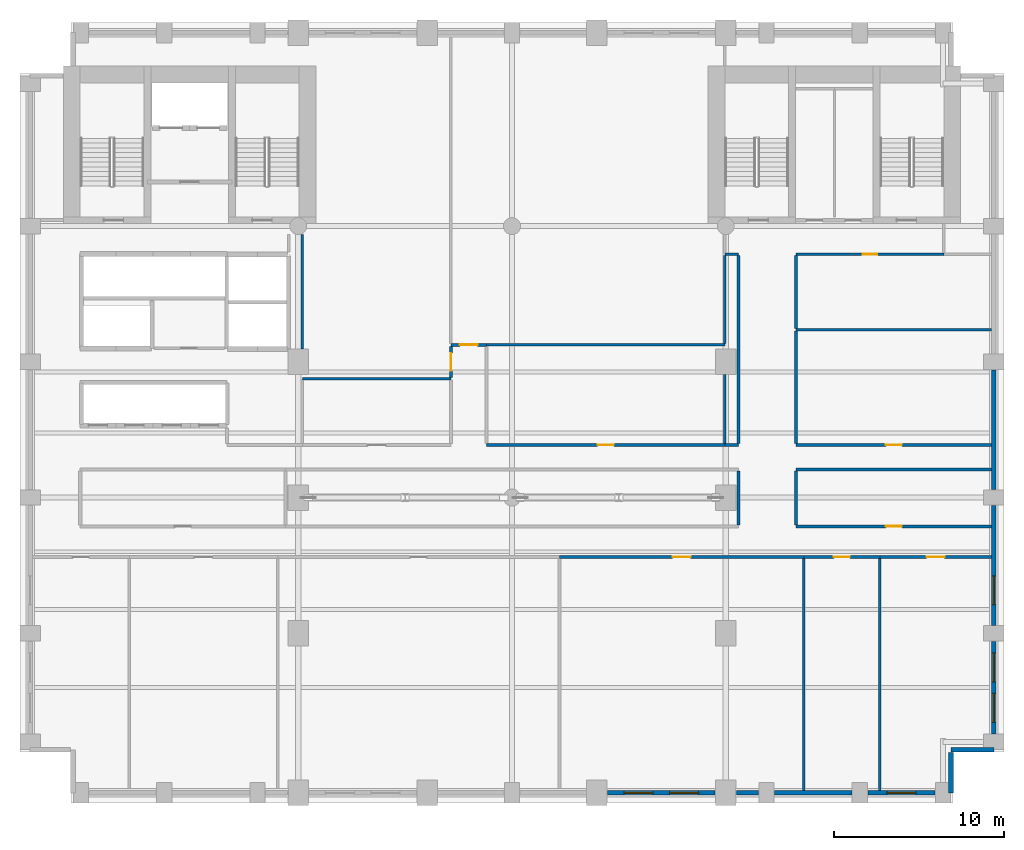
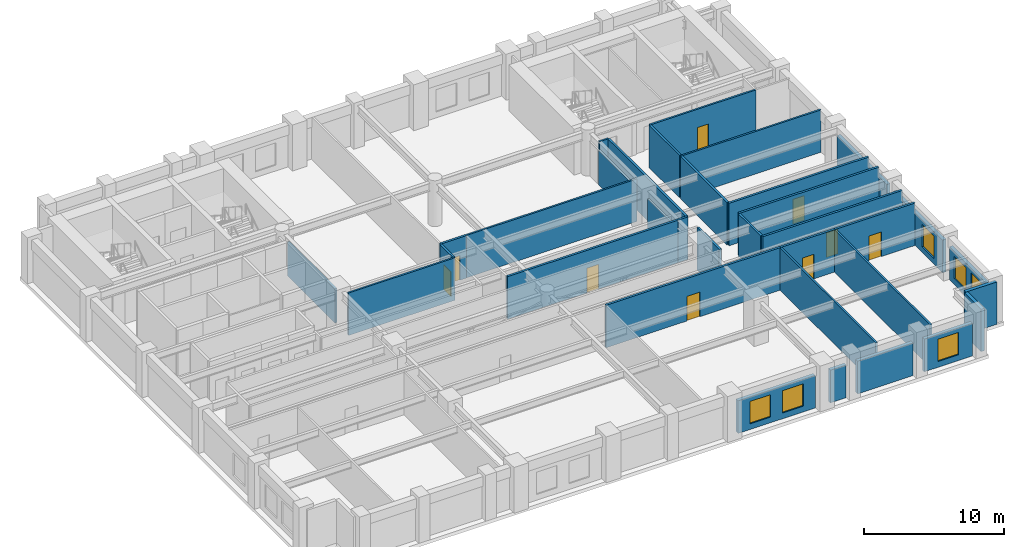
# One storey, part 6 of 10: 34 walls, 9 doors, 6 windows, 15 openings.
"""IFC4 building model written with IfcOpenShell, lengths in metres."""

import ifcopenshell
import ifcopenshell.guid

model = None  # the IFC model being written
_history = None  # IfcOwnerHistory: only IFC2X3 demands one
_inside = {}  # id of a spatial element -> (the spatial element, [elements in it])
_under = {}  # id of a project, library or spatial element -> (it, [spatial elements below it])
_declared = {}  # id of a project -> (the project, [libraries it declares])
_typed = {}  # id of a type object -> (the type object, [elements of that type])
_made_of = {}  # id of a material, layer set ... -> (it, [elements and type objects made of it])


def new_model(schema):
    """Start an empty IFC model of exactly this schema.

    Asked for "IFC4X3", IfcOpenShell would pick the latest addendum, in which some entities
    have other attributes; the version numbers below select the first issue.
    IFC2X3 requires an IfcOwnerHistory on every rooted entity: one is made here for all.
    """
    global model, _history
    if schema == "IFC4X3":
        model = ifcopenshell.file(schema_version=(4, 3, 0, 0))
    else:
        model = ifcopenshell.file(schema=schema)
    _inside.clear()
    _under.clear()
    _declared.clear()
    _typed.clear()
    _made_of.clear()
    _history = None
    if model.schema == "IFC2X3":
        org = make("IfcOrganization", Name="unknown")
        user = make(
            "IfcPersonAndOrganization",
            ThePerson=make("IfcPerson", FamilyName="unknown"),
            TheOrganization=org,
        )
        app = make(
            "IfcApplication",
            ApplicationDeveloper=org,
            Version="unknown",
            ApplicationFullName="unknown",
            ApplicationIdentifier="unknown",
        )
        _history = make(
            "IfcOwnerHistory",
            OwningUser=user,
            OwningApplication=app,
            ChangeAction="ADDED",
            CreationDate=0,
        )
    return model


def make(cls, **values):
    """One entity of the class cls with the attributes given. An attribute that is None is left unset."""
    return model.create_entity(
        cls, **{name: value for name, value in values.items() if value is not None}
    )


def rooted(cls, **values):
    """An entity with a GlobalId (a new one), such as an element, a storey or a relation."""
    return make(cls, GlobalId=ifcopenshell.guid.new(), OwnerHistory=_history, **values)


def si_unit(unit_type, name, prefix=None):
    """IfcSIUnit, for example si_unit("LENGTHUNIT", "METRE", prefix="MILLI")."""
    return make("IfcSIUnit", UnitType=unit_type, Prefix=prefix, Name=name)


def assignment(units):
    """IfcUnitAssignment: the units of a project."""
    return None if units is None else make("IfcUnitAssignment", Units=units)


def point(xyz):
    """IfcCartesianPoint."""
    return None if xyz is None else make("IfcCartesianPoint", Coordinates=xyz)


def direction(xyz):
    """IfcDirection."""
    return None if xyz is None else make("IfcDirection", DirectionRatios=xyz)


def frame(location, z_axis=None, x_axis=None):
    """IfcAxis2Placement3D, a coordinate frame: its origin and axes. An axis left out is left unset."""
    return make(
        "IfcAxis2Placement3D",
        Location=point(location),
        Axis=direction(z_axis),
        RefDirection=direction(x_axis),
    )


def frame_2d(location, x_axis=None):
    """IfcAxis2Placement2D, a coordinate frame in the plane: its origin and x axis."""
    return make(
        "IfcAxis2Placement2D", Location=point(location), RefDirection=direction(x_axis)
    )


def origin():
    """The frame at (0, 0, 0) with its axes left unset."""
    return frame((0.0, 0.0, 0.0))


def place(relative_to, where):
    """IfcLocalPlacement: puts the frame where relative to a parent placement (None: the world)."""
    return make(
        "IfcLocalPlacement", PlacementRelTo=relative_to, RelativePlacement=where
    )


def context(
    kind, dimensions, precision=None, world=None, true_north=None, identifier=None
):
    """IfcGeometricRepresentationContext, for example the 3D "Model" context."""
    return make(
        "IfcGeometricRepresentationContext",
        ContextIdentifier=identifier,
        ContextType=kind,
        CoordinateSpaceDimension=dimensions,
        Precision=precision,
        WorldCoordinateSystem=world,
        TrueNorth=true_north,
    )


def subcontext(parent, identifier, kind, view, scale=None):
    """IfcGeometricRepresentationSubContext, for example "Body" below "Model"."""
    return make(
        "IfcGeometricRepresentationSubContext",
        ContextIdentifier=identifier,
        ContextType=kind,
        ParentContext=parent,
        TargetScale=scale,
        TargetView=view,
    )


def project(units=None, contexts=None):
    """IfcProject with its units and contexts."""
    return rooted(
        "IfcProject",
        Name="project",
        RepresentationContexts=contexts,
        UnitsInContext=assignment(units),
    )


def spatial(cls, under=None, at=None, **own):
    """A site, building, storey or space (cls), placed at a placement, below another one or the project."""
    s = rooted(cls, ObjectPlacement=at, **own)
    if under is not None:
        _under.setdefault(under.id(), (under, []))[1].append(s)
    return s


def profile(cls, at=None, kind="AREA", **sizes):
    """A parametric profile (cls). Its sizes go by their IFC names, for example OverallWidth=200.0."""
    return make(cls, ProfileType=kind, Position=at, **sizes)


def rectangle(**sizes):
    """IfcRectangleProfileDef."""
    return profile("IfcRectangleProfileDef", **sizes)


def extrude(swept, where, along, depth):
    """IfcExtrudedAreaSolid: the profile swept, set in the frame where, extruded along a direction by depth."""
    return make(
        "IfcExtrudedAreaSolid",
        SweptArea=swept,
        Position=where,
        ExtrudedDirection=direction(along),
        Depth=depth,
    )


def shape(context_of_items, identifier, shape_type, items):
    """IfcShapeRepresentation: the items that make up one representation, for example the "Body"."""
    return make(
        "IfcShapeRepresentation",
        ContextOfItems=context_of_items,
        RepresentationIdentifier=identifier,
        RepresentationType=shape_type,
        Items=items,
    )


def material(Name=None, Category=None):
    """IfcMaterial."""
    return make("IfcMaterial", Name=Name, Category=Category)


def layer(
    of_material, thickness, ventilated=None, Name=None, Category=None, Priority=None
):
    """IfcMaterialLayer: one layer of a wall or slab, of a material (None: an air gap)."""
    return make(
        "IfcMaterialLayer",
        Material=of_material,
        LayerThickness=thickness,
        IsVentilated=ventilated,
        Name=Name,
        Category=Category,
        Priority=Priority,
    )


def layer_set(layers, Name=None):
    """IfcMaterialLayerSet."""
    return make("IfcMaterialLayerSet", MaterialLayers=layers, LayerSetName=Name)


def made_of(thing, what):
    """Note that an element or type object is made of a material, layer set ...; save() writes the relation."""
    if what is not None:
        _made_of.setdefault(what.id(), (what, []))[1].append(thing)
    return thing


def type_object(cls, material=None, **own):
    """A type object (cls), such as IfcWallType, which elements share."""
    return made_of(rooted(cls, **own), material)


def element(
    cls,
    number,
    at=None,
    inside=None,
    cuts=None,
    type_object=None,
    material=None,
    context=None,
    identifier="Body",
    shape_type=None,
    held_by="IfcProductDefinitionShape",
    body=None,
    shapes=None,
    **own,
):
    """One element of the class cls, such as IfcWall. Its Tag is "e" and its number.

    at: its placement. inside: the storey or other place that contains it. cuts: it is an
    opening in that element (IfcRelVoidsElement). A single representation is given by context,
    identifier, shape_type and body (its items); several are given by shapes. held_by: the class
    of the entity that holds the representations. save() writes the other relations.
    """
    e = rooted(cls, Tag="e%d" % number, ObjectPlacement=at, **own)
    if body is not None:
        shapes = [shape(context, identifier, shape_type, body)]
    if shapes is not None:
        e.Representation = make(held_by, Representations=shapes)
    if inside is not None:
        _inside.setdefault(inside.id(), (inside, []))[1].append(e)
    if cuts is not None:
        rooted(
            "IfcRelVoidsElement", RelatingBuildingElement=cuts, RelatedOpeningElement=e
        )
    if type_object is not None:
        _typed.setdefault(type_object.id(), (type_object, []))[1].append(e)
    return made_of(e, material)


def fill(opening, filler):
    """IfcRelFillsElement: the door or window that sits in an opening."""
    return rooted(
        "IfcRelFillsElement",
        RelatingOpeningElement=opening,
        RelatedBuildingElement=filler,
    )


def aggregate(whole, parts):
    """IfcRelAggregates: a whole, such as a stair, and the parts it consists of."""
    return rooted("IfcRelAggregates", RelatingObject=whole, RelatedObjects=parts)


def save(model, path):
    """Write the relations noted so far, then the file.

    IfcRelAggregates (storeys below a building ...), IfcRelContainedInSpatialStructure (elements
    in a storey), IfcRelDefinesByType, IfcRelAssociatesMaterial and IfcRelDeclares: one each for
    every whole, place, type object, material and project.
    """
    for whole, parts in _under.values():
        aggregate(whole, parts)
    for where, things in _inside.values():
        rooted(
            "IfcRelContainedInSpatialStructure",
            RelatedElements=things,
            RelatingStructure=where,
        )
    for kind, things in _typed.values():
        rooted("IfcRelDefinesByType", RelatedObjects=things, RelatingType=kind)
    for what, things in _made_of.values():
        rooted("IfcRelAssociatesMaterial", RelatedObjects=things, RelatingMaterial=what)
    for by, libraries in _declared.values():
        rooted("IfcRelDeclares", RelatingContext=by, RelatedDefinitions=libraries)
    model.write(path)


model = new_model("IFC4")

# Units and contexts
model_context = context("Model", 3, precision=1e-05, world=origin(), true_north=direction((0.0, 1.0)))
body_context = subcontext(model_context, "Body", "Model", "MODEL_VIEW")
ifc_project = project(units=[si_unit("LENGTHUNIT", "METRE"), si_unit("AREAUNIT", "SQUARE_METRE"), si_unit("VOLUMEUNIT", "CUBIC_METRE"), si_unit("PLANEANGLEUNIT", "RADIAN"), si_unit("MASSUNIT", "GRAM", prefix="KILO")], contexts=[model_context])

# Site, building, storey
site_placement = place(None, origin())
site = spatial("IfcSite", under=ifc_project, at=site_placement, CompositionType="ELEMENT")
building_placement = place(site_placement, origin())
building = spatial("IfcBuilding", under=site, at=building_placement, Name="Sulina Concourse Tower", CompositionType="ELEMENT")
storey_placement = place(building_placement, frame((0.0, 0.0, 62.60009765625)))
storey = spatial("IfcBuildingStorey", under=building, at=storey_placement, Name="L15", CompositionType="ELEMENT", Elevation=62.60009765625)

# Walls
ifc_material_1 = material(Name="Gypsum board on steel stud", Category="steel")
ifc_layer_1 = layer(ifc_material_1, 0.14990234375)
ifc_layer_set_1 = layer_set([ifc_layer_1], Name="Gypsum board on steel stud")
wall_type_1 = type_object("IfcWallType", Name="Inter-Tenancy Acoustic Partition 150mm", PredefinedType="PARTITIONING", material=ifc_layer_set_1)
wall_1_placement = place(storey_placement, frame((16.64990234375, 25.0, 0.0), z_axis=(0.0, 0.0, 1.0), x_axis=(1.0, 0.0, 0.0)))
element("IfcWall", 1, at=wall_1_placement, inside=storey, type_object=wall_type_1, Name="L15 interior partition 018", PredefinedType="PARTITIONING", context=body_context, shape_type="SweptSolid", body=[
    extrude(rectangle(XDim=8.75, YDim=0.14990234375, at=frame_2d((4.375, 0.0))), origin(), (0.0, 0.0, 1.0), 3.699951171875),
])
wall_2_placement = place(storey_placement, frame((27.5, 27.0, 0.0), z_axis=(0.0, 0.0, 1.0), x_axis=(1.0, 0.0, 0.0)))
element("IfcWall", 2, at=wall_2_placement, inside=storey, type_object=wall_type_1, Name="L15 interior partition 021", PredefinedType="PARTITIONING", context=body_context, shape_type="SweptSolid", body=[
    extrude(rectangle(XDim=14.050048828125, YDim=0.14990234375, at=frame_2d((7.02490234375, 0.0))), origin(), (0.0, 0.0, 1.0), 3.699951171875),
])
wall_3_placement = place(storey_placement, frame((45.75, 27.8798828125, 0.0), z_axis=(0.0, 0.0, 1.0), x_axis=(1.0, 0.0, 0.0)))
element("IfcWall", 3, at=wall_3_placement, inside=storey, type_object=wall_type_1, Name="L15 interior partition 022", PredefinedType="PARTITIONING", context=body_context, shape_type="SweptSolid", body=[
    extrude(rectangle(XDim=11.510009765625, YDim=0.14990234375, at=frame_2d((5.7548828125, 0.0))), origin(), (0.0, 0.0, 1.0), 3.699951171875),
])
wall_4_placement = place(storey_placement, frame((41.550048828125, 32.35009765625, 0.0), z_axis=(0.0, 0.0, 1.0), x_axis=(1.0, 0.0, 0.0)))
element("IfcWall", 4, at=wall_4_placement, inside=storey, type_object=wall_type_1, Name="L15 interior partition 023", PredefinedType="PARTITIONING", context=body_context, shape_type="SweptSolid", body=[
    extrude(rectangle(XDim=0.800048828125, YDim=0.14990234375, at=frame_2d((0.39990234375, 0.0))), origin(), (0.0, 0.0, 1.0), 3.699951171875),
])

# Wall, opening, door
wall_5_placement = place(storey_placement, frame((45.75, 32.35009765625, 0.0), z_axis=(0.0, 0.0, 1.0), x_axis=(1.0, 0.0, 0.0)))
wall_5 = element("IfcWall", 5, at=wall_5_placement, inside=storey, type_object=wall_type_1, Name="L15 interior partition 024", PredefinedType="PARTITIONING", context=body_context, shape_type="SweptSolid", body=[
    extrude(rectangle(XDim=8.699951171875, YDim=0.14990234375, at=frame_2d((4.35009765625, 0.0))), origin(), (0.0, 0.0, 1.0), 3.699951171875),
])
opening_1_placement = place(wall_5_placement, frame((3.909912109375, 0.0, 0.0)))
opening_1 = element("IfcOpeningElement", 6, at=opening_1_placement, cuts=wall_5, Name="Opening DR-38", PredefinedType="OPENING", context=body_context, shape_type="SweptSolid", body=[
    extrude(rectangle(XDim=0.8798828125, YDim=2.10009765625, at=frame_2d((0.43994140625, 1.050048828125))), frame((0.0, 0.0849609375, 0.0), z_axis=(0.0, -1.0, 0.0), x_axis=(1.0, 0.0, 0.0)), (0.0, 0.0, 1.0), 0.169921875),
])
ifc_material_2 = material(Name="Galvanised steel acoustic fire leaf", Category="steel")
ifc_layer_2 = layer(ifc_material_2, 0.050048828125)
ifc_layer_set_2 = layer_set([ifc_layer_2], Name="Galvanised steel acoustic fire leaf")
door_type_1 = type_object("IfcDoorType", Name="Service Riser Fire Door 880x2100", OperationType="NOTDEFINED", PredefinedType="DOOR", material=ifc_layer_set_2)
door_1_placement = place(opening_1_placement, origin())
door_1 = element("IfcDoor", 7, at=door_1_placement, inside=storey, type_object=door_type_1, Name="L15 interior door L15-NE2", OperationType="SINGLE_SWING_RIGHT", OverallHeight=2.10009765625, OverallWidth=0.8798828125, PredefinedType="DOOR", context=body_context, shape_type="SweptSolid", body=[
    extrude(rectangle(XDim=0.8798828125, YDim=2.10009765625, at=frame_2d((0.43994140625, 1.050048828125))), frame((0.0, 0.02490234375, 0.0), z_axis=(0.0, -1.0, 0.0), x_axis=(1.0, 0.0, 0.0)), (0.0, 0.0, 1.0), 0.050048828125),
])
fill(opening_1, door_1)

# Walls
wall_6_placement = place(storey_placement, frame((16.64990234375, 26.75, 0.0), z_axis=(0.0, 0.0, 1.0), x_axis=(0.0, 1.0, 0.0)))
element("IfcWall", 8, at=wall_6_placement, inside=storey, type_object=wall_type_1, Name="L15 interior partition 036", PredefinedType="PARTITIONING", context=body_context, shape_type="SweptSolid", body=[
    extrude(rectangle(XDim=6.75, YDim=0.14990234375, at=frame_2d((3.375, 0.0))), origin(), (0.0, 0.0, 1.0), 2.994873046875),
])
wall_7_placement = place(storey_placement, frame((41.550048828125, 21.18994140625, 0.0), z_axis=(0.0, 0.0, 1.0), x_axis=(0.0, 1.0, 0.0)))
element("IfcWall", 9, at=wall_7_placement, inside=storey, type_object=wall_type_1, Name="L15 interior partition 042", PredefinedType="PARTITIONING", context=body_context, shape_type="SweptSolid", body=[
    extrude(rectangle(XDim=4.06005859375, YDim=0.14990234375, at=frame_2d((2.030029296875, 0.0))), origin(), (0.0, 0.0, 1.0), 2.994873046875),
])
wall_8_placement = place(storey_placement, frame((41.550048828125, 27.074951171875, 0.0), z_axis=(0.0, 0.0, 1.0), x_axis=(0.0, 1.0, 0.0)))
element("IfcWall", 10, at=wall_8_placement, inside=storey, type_object=wall_type_1, Name="L15 interior partition 043", PredefinedType="PARTITIONING", context=body_context, shape_type="SweptSolid", body=[
    extrude(rectangle(XDim=5.199951171875, YDim=0.14990234375, at=frame_2d((2.60009765625, 0.0))), origin(), (0.0, 0.0, 1.0), 2.994873046875),
])
for number, where, z_axis, x_axis, name in (
    (11, (46.199951171875, 0.739990234375, 0.0), (0.0, 0.0, 1.0), (0.0, 1.0, 0.0), "L15 interior partition 051"),
    (12, (50.679931640625, 0.739990234375, 0.0), (0.0, 0.0, 1.0), (0.0, 1.0, 0.0), "L15 interior partition 053"),
):
    element("IfcWall", number, at=place(storey_placement, frame(where, z_axis=z_axis, x_axis=x_axis)), inside=storey, type_object=wall_type_1, Name=name, PredefinedType="PARTITIONING", context=body_context, shape_type="SweptSolid", body=[
        extrude(rectangle(XDim=13.669921875, YDim=0.14990234375, at=frame_2d((6.8349609375, 0.0))), origin(), (0.0, 0.0, 1.0), 3.699951171875),
    ])

# Wall, opening, door
ifc_material_3 = material(Name="Gypsum board on steel stud", Category="steel")
ifc_layer_3 = layer(ifc_material_3, 0.179931640625)
ifc_layer_set_3 = layer_set([ifc_layer_3], Name="Gypsum board on steel stud")
wall_type_2 = type_object("IfcWallType", Name="Protected Corridor & Riser Partition 180mm", PredefinedType="PARTITIONING", material=ifc_layer_set_3)
wall_9_placement = place(storey_placement, frame((31.800048828125, 14.5, 0.0), z_axis=(0.0, 0.0, 1.0), x_axis=(1.0, 0.0, 0.0)))
wall_9 = element("IfcWall", 13, at=wall_9_placement, inside=storey, type_object=wall_type_2, Name="L15 interior partition 004", PredefinedType="PARTITIONING", context=body_context, shape_type="SweptSolid", body=[
    extrude(rectangle(XDim=14.39990234375, YDim=0.179931640625, at=frame_2d((7.199951171875, 0.0))), origin(), (0.0, 0.0, 1.0), 3.699951171875),
])
opening_2_placement = place(wall_9_placement, frame((6.675048828125, 0.0, 0.0)))
opening_2 = element("IfcOpeningElement", 14, at=opening_2_placement, cuts=wall_9, Name="Opening DR-37", PredefinedType="OPENING", context=body_context, shape_type="SweptSolid", body=[
    extrude(rectangle(XDim=1.050048828125, YDim=2.14990234375, at=frame_2d((0.52490234375, 1.074951171875))), frame((0.0, 0.099853515625, 0.0), z_axis=(0.0, -1.0, 0.0), x_axis=(1.0, 0.0, 0.0)), (0.0, 0.0, 1.0), 0.199951171875),
])
ifc_material_4 = material(Name="Oak-veneered fire door leaf")
ifc_layer_4 = layer(ifc_material_4, 0.050048828125)
ifc_layer_set_4 = layer_set([ifc_layer_4], Name="Oak-veneered fire door leaf")
door_type_2 = type_object("IfcDoorType", Name="Tenant Suite Entrance Fire Door 1050x2150", OperationType="NOTDEFINED", PredefinedType="DOOR", material=ifc_layer_set_4)
door_2_placement = place(opening_2_placement, origin())
door_2 = element("IfcDoor", 15, at=door_2_placement, inside=storey, type_object=door_type_2, Name="L15 interior door L15-S03", OperationType="SINGLE_SWING_RIGHT", OverallHeight=2.14990234375, OverallWidth=1.050048828125, PredefinedType="DOOR", context=body_context, shape_type="SweptSolid", body=[
    extrude(rectangle(XDim=1.050048828125, YDim=2.14990234375, at=frame_2d((0.52490234375, 1.074951171875))), frame((0.0, 0.02490234375, 0.0), z_axis=(0.0, -1.0, 0.0), x_axis=(1.0, 0.0, 0.0)), (0.0, 0.0, 1.0), 0.050048828125),
])
fill(opening_2, door_2)

wall_10_placement = place(storey_placement, frame((46.199951171875, 14.5, 0.0), z_axis=(0.0, 0.0, 1.0), x_axis=(1.0, 0.0, 0.0)))
wall_10 = element("IfcWall", 16, at=wall_10_placement, inside=storey, type_object=wall_type_2, Name="L15 interior partition 005", PredefinedType="PARTITIONING", context=body_context, shape_type="SweptSolid", body=[
    extrude(rectangle(XDim=4.47998046875, YDim=0.179931640625, at=frame_2d((2.239990234375, 0.0))), origin(), (0.0, 0.0, 1.0), 3.699951171875),
])
opening_3_placement = place(wall_10_placement, frame((1.764892578125, 0.0, 0.0)))
opening_3 = element("IfcOpeningElement", 17, at=opening_3_placement, cuts=wall_10, Name="Opening DR-19", PredefinedType="OPENING", context=body_context, shape_type="SweptSolid", body=[
    extrude(rectangle(XDim=0.949951171875, YDim=2.14990234375, at=frame_2d((0.47509765625, 1.074951171875))), frame((0.0, 0.099853515625, 0.0), z_axis=(0.0, -1.0, 0.0), x_axis=(1.0, 0.0, 0.0)), (0.0, 0.0, 1.0), 0.199951171875),
])
ifc_material_5 = material(Name="Oak-veneered acoustic timber leaf", Category="wood")
ifc_layer_5 = layer(ifc_material_5, 0.050048828125)
ifc_layer_set_5 = layer_set([ifc_layer_5], Name="Oak-veneered acoustic timber leaf")
door_type_3 = type_object("IfcDoorType", Name="Cellular Office & Meeting Door 950x2150", OperationType="NOTDEFINED", PredefinedType="DOOR", material=ifc_layer_set_5)
door_3_placement = place(opening_3_placement, origin())
door_3 = element("IfcDoor", 18, at=door_3_placement, inside=storey, type_object=door_type_3, Name="L15 interior door L15-S04A", OperationType="SINGLE_SWING_LEFT", OverallHeight=2.14990234375, OverallWidth=0.949951171875, PredefinedType="DOOR", context=body_context, shape_type="SweptSolid", body=[
    extrude(rectangle(XDim=0.949951171875, YDim=2.14990234375, at=frame_2d((0.47509765625, 1.074951171875))), frame((0.0, 0.02490234375, 0.0), z_axis=(0.0, -1.0, 0.0), x_axis=(1.0, 0.0, 0.0)), (0.0, 0.0, 1.0), 0.050048828125),
])
fill(opening_3, door_3)

wall_11_placement = place(storey_placement, frame((50.679931640625, 14.5, 0.0), z_axis=(0.0, 0.0, 1.0), x_axis=(1.0, 0.0, 0.0)))
wall_11 = element("IfcWall", 19, at=wall_11_placement, inside=storey, type_object=wall_type_2, Name="L15 interior partition 006", PredefinedType="PARTITIONING", context=body_context, shape_type="SweptSolid", body=[
    extrude(rectangle(XDim=6.580078125, YDim=0.179931640625, at=frame_2d((3.2900390625, 0.0))), origin(), (0.0, 0.0, 1.0), 3.699951171875),
])
opening_4_placement = place(wall_11_placement, frame((2.764892578125, 0.0, 0.0)))
opening_4 = element("IfcOpeningElement", 20, at=opening_4_placement, cuts=wall_11, Name="Opening DR-37", PredefinedType="OPENING", context=body_context, shape_type="SweptSolid", body=[
    extrude(rectangle(XDim=1.050048828125, YDim=2.14990234375, at=frame_2d((0.52490234375, 1.074951171875))), frame((0.0, 0.099853515625, 0.0), z_axis=(0.0, -1.0, 0.0), x_axis=(1.0, 0.0, 0.0)), (0.0, 0.0, 1.0), 0.199951171875),
])
door_4_placement = place(opening_4_placement, origin())
door_4 = element("IfcDoor", 21, at=door_4_placement, inside=storey, type_object=door_type_2, Name="L15 interior door L15-S04B", OperationType="SINGLE_SWING_RIGHT", OverallHeight=2.14990234375, OverallWidth=1.050048828125, PredefinedType="DOOR", context=body_context, shape_type="SweptSolid", body=[
    extrude(rectangle(XDim=1.050048828125, YDim=2.14990234375, at=frame_2d((0.52490234375, 1.074951171875))), frame((0.0, 0.02490234375, 0.0), z_axis=(0.0, -1.0, 0.0), x_axis=(1.0, 0.0, 0.0)), (0.0, 0.0, 1.0), 0.050048828125),
])
fill(opening_4, door_4)

wall_12_placement = place(storey_placement, frame((45.75, 16.300048828125, 0.0), z_axis=(0.0, 0.0, 1.0), x_axis=(1.0, 0.0, 0.0)))
wall_12 = element("IfcWall", 22, at=wall_12_placement, inside=storey, type_object=wall_type_2, Name="L15 interior partition 009", PredefinedType="PARTITIONING", context=body_context, shape_type="SweptSolid", body=[
    extrude(rectangle(XDim=11.510009765625, YDim=0.179931640625, at=frame_2d((5.7548828125, 0.0))), origin(), (0.0, 0.0, 1.0), 3.699951171875),
])
opening_5_placement = place(wall_12_placement, frame((5.280029296875, 0.0, 0.0)))
opening_5 = element("IfcOpeningElement", 23, at=opening_5_placement, cuts=wall_12, Name="Opening DR-19", PredefinedType="OPENING", context=body_context, shape_type="SweptSolid", body=[
    extrude(rectangle(XDim=0.949951171875, YDim=2.14990234375, at=frame_2d((0.47509765625, 1.074951171875))), frame((0.0, 0.099853515625, 0.0), z_axis=(0.0, -1.0, 0.0), x_axis=(1.0, 0.0, 0.0)), (0.0, 0.0, 1.0), 0.199951171875),
])
door_5_placement = place(opening_5_placement, origin())
door_5 = element("IfcDoor", 24, at=door_5_placement, inside=storey, type_object=door_type_3, Name="L15 interior door L15-OFF-LBTE", OperationType="SINGLE_SWING_RIGHT", OverallHeight=2.14990234375, OverallWidth=0.949951171875, PredefinedType="DOOR", context=body_context, shape_type="SweptSolid", body=[
    extrude(rectangle(XDim=0.949951171875, YDim=2.14990234375, at=frame_2d((0.47509765625, 1.074951171875))), frame((0.0, 0.02490234375, 0.0), z_axis=(0.0, -1.0, 0.0), x_axis=(1.0, 0.0, 0.0)), (0.0, 0.0, 1.0), 0.050048828125),
])
fill(opening_5, door_5)

# Wall
wall_13_placement = place(storey_placement, frame((45.75, 19.64990234375, 0.0), z_axis=(0.0, 0.0, 1.0), x_axis=(1.0, 0.0, 0.0)))
element("IfcWall", 25, at=wall_13_placement, inside=storey, type_object=wall_type_2, Name="L15 interior partition 012", PredefinedType="PARTITIONING", context=body_context, shape_type="SweptSolid", body=[
    extrude(rectangle(XDim=11.510009765625, YDim=0.179931640625, at=frame_2d((5.7548828125, 0.0))), origin(), (0.0, 0.0, 1.0), 3.699951171875),
])

# Wall, opening, door
wall_14_placement = place(storey_placement, frame((27.5, 21.10009765625, 0.0), z_axis=(0.0, 0.0, 1.0), x_axis=(1.0, 0.0, 0.0)))
wall_14 = element("IfcWall", 26, at=wall_14_placement, inside=storey, type_object=wall_type_2, Name="L15 interior partition 015", PredefinedType="PARTITIONING", context=body_context, shape_type="SweptSolid", body=[
    extrude(rectangle(XDim=14.050048828125, YDim=0.179931640625, at=frame_2d((7.02490234375, 0.0))), origin(), (0.0, 0.0, 1.0), 3.699951171875),
])
opening_6_placement = place(wall_14_placement, frame((6.550048828125, 0.0, 0.0)))
opening_6 = element("IfcOpeningElement", 27, at=opening_6_placement, cuts=wall_14, Name="Opening DR-19", PredefinedType="OPENING", context=body_context, shape_type="SweptSolid", body=[
    extrude(rectangle(XDim=0.949951171875, YDim=2.14990234375, at=frame_2d((0.47509765625, 1.074951171875))), frame((0.0, 0.099853515625, 0.0), z_axis=(0.0, -1.0, 0.0), x_axis=(1.0, 0.0, 0.0)), (0.0, 0.0, 1.0), 0.199951171875),
])
door_6_placement = place(opening_6_placement, origin())
door_6 = element("IfcDoor", 28, at=door_6_placement, inside=storey, type_object=door_type_3, Name="L15 interior door L15-NC3", OperationType="SINGLE_SWING_RIGHT", OverallHeight=2.14990234375, OverallWidth=0.949951171875, PredefinedType="DOOR", context=body_context, shape_type="SweptSolid", body=[
    extrude(rectangle(XDim=0.949951171875, YDim=2.14990234375, at=frame_2d((0.47509765625, 1.074951171875))), frame((0.0, 0.02490234375, 0.0), z_axis=(0.0, -1.0, 0.0), x_axis=(1.0, 0.0, 0.0)), (0.0, 0.0, 1.0), 0.050048828125),
])
fill(opening_6, door_6)

# Wall
wall_15_placement = place(storey_placement, frame((41.550048828125, 21.10009765625, 0.0), z_axis=(0.0, 0.0, 1.0), x_axis=(1.0, 0.0, 0.0)))
element("IfcWall", 29, at=wall_15_placement, inside=storey, type_object=wall_type_2, Name="L15 interior partition 016", PredefinedType="PARTITIONING", context=body_context, shape_type="SweptSolid", body=[
    extrude(rectangle(XDim=0.800048828125, YDim=0.179931640625, at=frame_2d((0.39990234375, 0.0))), origin(), (0.0, 0.0, 1.0), 3.699951171875),
])

# Wall, opening, door
wall_16_placement = place(storey_placement, frame((45.75, 21.10009765625, 0.0), z_axis=(0.0, 0.0, 1.0), x_axis=(1.0, 0.0, 0.0)))
wall_16 = element("IfcWall", 30, at=wall_16_placement, inside=storey, type_object=wall_type_2, Name="L15 interior partition 017", PredefinedType="PARTITIONING", context=body_context, shape_type="SweptSolid", body=[
    extrude(rectangle(XDim=11.510009765625, YDim=0.179931640625, at=frame_2d((5.7548828125, 0.0))), origin(), (0.0, 0.0, 1.0), 3.699951171875),
])
opening_7_placement = place(wall_16_placement, frame((5.280029296875, 0.0, 0.0)))
opening_7 = element("IfcOpeningElement", 31, at=opening_7_placement, cuts=wall_16, Name="Opening DR-19", PredefinedType="OPENING", context=body_context, shape_type="SweptSolid", body=[
    extrude(rectangle(XDim=0.949951171875, YDim=2.14990234375, at=frame_2d((0.47509765625, 1.074951171875))), frame((0.0, 0.099853515625, 0.0), z_axis=(0.0, -1.0, 0.0), x_axis=(1.0, 0.0, 0.0)), (0.0, 0.0, 1.0), 0.199951171875),
])
door_7_placement = place(opening_7_placement, origin())
door_7 = element("IfcDoor", 32, at=door_7_placement, inside=storey, type_object=door_type_3, Name="L15 interior door L15-NE1", OperationType="SINGLE_SWING_LEFT", OverallHeight=2.14990234375, OverallWidth=0.949951171875, PredefinedType="DOOR", context=body_context, shape_type="SweptSolid", body=[
    extrude(rectangle(XDim=0.949951171875, YDim=2.14990234375, at=frame_2d((0.47509765625, 1.074951171875))), frame((0.0, 0.02490234375, 0.0), z_axis=(0.0, -1.0, 0.0), x_axis=(1.0, 0.0, 0.0)), (0.0, 0.0, 1.0), 0.050048828125),
])
fill(opening_7, door_7)

wall_17_placement = place(storey_placement, frame((25.39990234375, 27.0, 0.0), z_axis=(0.0, 0.0, 1.0), x_axis=(1.0, 0.0, 0.0)))
wall_17 = element("IfcWall", 33, at=wall_17_placement, inside=storey, type_object=wall_type_2, Name="L15 interior partition 020", PredefinedType="PARTITIONING", context=body_context, shape_type="SweptSolid", body=[
    extrude(rectangle(XDim=2.10009765625, YDim=0.179931640625, at=frame_2d((1.050048828125, 0.0))), origin(), (0.0, 0.0, 1.0), 3.699951171875),
])
opening_8_placement = place(wall_17_placement, frame((0.52490234375, 0.0, 0.0)))
opening_8 = element("IfcOpeningElement", 34, at=opening_8_placement, cuts=wall_17, Name="Opening DR-37", PredefinedType="OPENING", context=body_context, shape_type="SweptSolid", body=[
    extrude(rectangle(XDim=1.050048828125, YDim=2.14990234375, at=frame_2d((0.52490234375, 1.074951171875))), frame((0.0, 0.099853515625, 0.0), z_axis=(0.0, -1.0, 0.0), x_axis=(1.0, 0.0, 0.0)), (0.0, 0.0, 1.0), 0.199951171875),
])
door_8_placement = place(opening_8_placement, origin())
door_8 = element("IfcDoor", 35, at=door_8_placement, inside=storey, type_object=door_type_2, Name="L15 interior door L15-NC4", OperationType="SINGLE_SWING_LEFT", OverallHeight=2.14990234375, OverallWidth=1.050048828125, PredefinedType="DOOR", context=body_context, shape_type="SweptSolid", body=[
    extrude(rectangle(XDim=1.050048828125, YDim=2.14990234375, at=frame_2d((0.52490234375, 1.074951171875))), frame((0.0, 0.02490234375, 0.0), z_axis=(0.0, -1.0, 0.0), x_axis=(1.0, 0.0, 0.0)), (0.0, 0.0, 1.0), 0.050048828125),
])
fill(opening_8, door_8)

wall_18_placement = place(storey_placement, frame((25.39990234375, 25.074951171875, 0.0), z_axis=(0.0, 0.0, 1.0), x_axis=(0.0, 1.0, 0.0)))
wall_18 = element("IfcWall", 36, at=wall_18_placement, inside=storey, type_object=wall_type_2, Name="L15 interior partition 038", PredefinedType="PARTITIONING", context=body_context, shape_type="SweptSolid", body=[
    extrude(rectangle(XDim=1.8349609375, YDim=0.179931640625, at=frame_2d((0.91748046875, 0.0))), origin(), (0.0, 0.0, 1.0), 3.699951171875),
])
opening_9_placement = place(wall_18_placement, frame((0.392578125, 0.0, 0.0)))
opening_9 = element("IfcOpeningElement", 37, at=opening_9_placement, cuts=wall_18, Name="Opening DR-37", PredefinedType="OPENING", context=body_context, shape_type="SweptSolid", body=[
    extrude(rectangle(XDim=1.050048828125, YDim=2.14990234375, at=frame_2d((0.52490234375, 1.074951171875))), frame((0.0, 0.099853515625, 0.0), z_axis=(0.0, -1.0, 0.0), x_axis=(1.0, 0.0, 0.0)), (0.0, 0.0, 1.0), 0.199951171875),
])
door_9_placement = place(opening_9_placement, origin())
door_9 = element("IfcDoor", 38, at=door_9_placement, inside=storey, type_object=door_type_2, Name="L15 interior door L15-NC2", OperationType="SINGLE_SWING_LEFT", OverallHeight=2.14990234375, OverallWidth=1.050048828125, PredefinedType="DOOR", context=body_context, shape_type="SweptSolid", body=[
    extrude(rectangle(XDim=1.050048828125, YDim=2.14990234375, at=frame_2d((0.52490234375, 1.074951171875))), frame((0.0, 0.02490234375, 0.0), z_axis=(0.0, -1.0, 0.0), x_axis=(1.0, 0.0, 0.0)), (0.0, 0.0, 1.0), 0.050048828125),
])
fill(opening_9, door_9)

# Walls
wall_19_placement = place(storey_placement, frame((42.35009765625, 16.389892578125, 0.0), z_axis=(0.0, 0.0, 1.0), x_axis=(0.0, 1.0, 0.0)))
element("IfcWall", 39, at=wall_19_placement, inside=storey, type_object=wall_type_2, Name="L15 interior partition 046", PredefinedType="PARTITIONING", context=body_context, shape_type="SweptSolid", body=[
    extrude(rectangle(XDim=3.170166015625, YDim=0.179931640625, at=frame_2d((1.5849609375, 0.0))), origin(), (0.0, 0.0, 1.0), 3.699951171875),
])
wall_20_placement = place(storey_placement, frame((42.35009765625, 21.18994140625, 0.0), z_axis=(0.0, 0.0, 1.0), x_axis=(0.0, 1.0, 0.0)))
element("IfcWall", 40, at=wall_20_placement, inside=storey, type_object=wall_type_2, Name="L15 interior partition 047", PredefinedType="PARTITIONING", context=body_context, shape_type="SweptSolid", body=[
    extrude(rectangle(XDim=11.0849609375, YDim=0.179931640625, at=frame_2d((5.54248046875, 0.0))), origin(), (0.0, 0.0, 1.0), 3.699951171875),
])
wall_21_placement = place(storey_placement, frame((45.75, 16.389892578125, 0.0), z_axis=(0.0, 0.0, 1.0), x_axis=(0.0, 1.0, 0.0)))
element("IfcWall", 41, at=wall_21_placement, inside=storey, type_object=wall_type_2, Name="L15 interior partition 048", PredefinedType="PARTITIONING", context=body_context, shape_type="SweptSolid", body=[
    extrude(rectangle(XDim=3.170166015625, YDim=0.179931640625, at=frame_2d((1.5849609375, 0.0))), origin(), (0.0, 0.0, 1.0), 3.699951171875),
])
wall_22_placement = place(storey_placement, frame((45.75, 21.18994140625, 0.0), z_axis=(0.0, 0.0, 1.0), x_axis=(0.0, 1.0, 0.0)))
element("IfcWall", 42, at=wall_22_placement, inside=storey, type_object=wall_type_2, Name="L15 interior partition 049", PredefinedType="PARTITIONING", context=body_context, shape_type="SweptSolid", body=[
    extrude(rectangle(XDim=6.614990234375, YDim=0.179931640625, at=frame_2d((3.3076171875, 0.0))), origin(), (0.0, 0.0, 1.0), 3.699951171875),
])
wall_23_placement = place(storey_placement, frame((45.75, 27.955078125, 0.0), z_axis=(0.0, 0.0, 1.0), x_axis=(0.0, 1.0, 0.0)))
element("IfcWall", 43, at=wall_23_placement, inside=storey, type_object=wall_type_2, Name="L15 interior partition 050", PredefinedType="PARTITIONING", context=body_context, shape_type="SweptSolid", body=[
    extrude(rectangle(XDim=4.31982421875, YDim=0.179931640625, at=frame_2d((2.159912109375, 0.0))), origin(), (0.0, 0.0, 1.0), 3.699951171875),
])

# Wall, openings, windows
ifc_material_6 = material(Name="Precast concrete C50/60", Category="concrete")
ifc_layer_6 = layer(ifc_material_6, 0.280029296875)
ifc_layer_set_6 = layer_set([ifc_layer_6], Name="Precast concrete C50/60")
wall_type_3 = type_object("IfcWallType", Name="Typical Precast Masonry-Frame Facade Wall 280mm", PredefinedType="SOLIDWALL", material=ifc_layer_set_6)
wall_24_placement = place(storey_placement, frame((40.97998046875, 0.60009765625, 0.0), z_axis=(0.0, 0.0, 1.0), x_axis=(-1.0, 0.0, 0.0)))
wall_24 = element("IfcWall", 44, at=wall_24_placement, inside=storey, type_object=wall_type_3, Name="L15 exterior precast wall S7", PredefinedType="SOLIDWALL", context=body_context, shape_type="SweptSolid", body=[
    extrude(rectangle(XDim=6.35986328125, YDim=0.280029296875, at=frame_2d((3.179931640625, 0.0))), origin(), (0.0, 0.0, 1.0), 2.849853515625),
])
opening_10_placement = place(wall_24_placement, frame((0.98681640625, 0.0, 0.5)))
opening_10 = element("IfcOpeningElement", 45, at=opening_10_placement, cuts=wall_24, Name="Opening WN-66", PredefinedType="OPENING", context=body_context, shape_type="SweptSolid", body=[
    extrude(rectangle(XDim=1.699951171875, YDim=1.949951171875, at=frame_2d((0.85009765625, 0.97509765625))), frame((0.0, 0.14990234375, 0.0), z_axis=(0.0, -1.0, 0.0), x_axis=(1.0, 0.0, 0.0)), (0.0, 0.0, 1.0), 0.300048828125),
])
opening_11_placement = place(wall_24_placement, frame((3.67333984375, 0.0, 0.5)))
opening_11 = element("IfcOpeningElement", 46, at=opening_11_placement, cuts=wall_24, Name="Opening WN-66", PredefinedType="OPENING", context=body_context, shape_type="SweptSolid", body=[
    extrude(rectangle(XDim=1.699951171875, YDim=1.949951171875, at=frame_2d((0.85009765625, 0.97509765625))), frame((0.0, 0.14990234375, 0.0), z_axis=(0.0, -1.0, 0.0), x_axis=(1.0, 0.0, 0.0)), (0.0, 0.0, 1.0), 0.300048828125),
])
ifc_material_7 = material(Name="Low-E solar double glazing in bronze aluminium", Category="aluminium")
window_type = type_object("IfcWindowType", Name="Recessed Spandrel Window 1700x1950", PartitioningType="SINGLE_PANEL", PredefinedType="WINDOW", material=ifc_material_7)
window_1_placement = place(opening_10_placement, origin())
window_1 = element("IfcWindow", 47, at=window_1_placement, inside=storey, type_object=window_type, Name="L15 punched window S7-1", OverallHeight=1.949951171875, OverallWidth=1.699951171875, PartitioningType="SINGLE_PANEL", PredefinedType="WINDOW", context=body_context, shape_type="SweptSolid", body=[
    extrude(rectangle(XDim=1.699951171875, YDim=1.949951171875, at=frame_2d((0.85009765625, 0.97509765625))), frame((0.0, 0.030029296875, 0.0), z_axis=(0.0, -1.0, 0.0), x_axis=(1.0, 0.0, 0.0)), (0.0, 0.0, 1.0), 0.06005859375),
])
fill(opening_10, window_1)
window_2_placement = place(opening_11_placement, origin())
window_2 = element("IfcWindow", 48, at=window_2_placement, inside=storey, type_object=window_type, Name="L15 punched window S7-2", OverallHeight=1.949951171875, OverallWidth=1.699951171875, PartitioningType="SINGLE_PANEL", PredefinedType="WINDOW", context=body_context, shape_type="SweptSolid", body=[
    extrude(rectangle(XDim=1.699951171875, YDim=1.949951171875, at=frame_2d((0.85009765625, 0.97509765625))), frame((0.0, 0.030029296875, 0.0), z_axis=(0.0, -1.0, 0.0), x_axis=(1.0, 0.0, 0.0)), (0.0, 0.0, 1.0), 0.06005859375),
])
fill(opening_11, window_2)

# Walls
wall_25_placement = place(storey_placement, frame((43.530029296875, 0.60009765625, 0.0), z_axis=(0.0, 0.0, 1.0), x_axis=(-1.0, 0.0, 0.0)))
element("IfcWall", 49, at=wall_25_placement, inside=storey, type_object=wall_type_3, Name="L15 exterior precast wall S8", PredefinedType="SOLIDWALL", context=body_context, shape_type="SweptSolid", body=[
    extrude(rectangle(XDim=1.31005859375, YDim=0.280029296875, at=frame_2d((0.655029296875, 0.0))), origin(), (0.0, 0.0, 1.0), 2.849853515625),
])
wall_26_placement = place(storey_placement, frame((49.030029296875, 0.60009765625, 0.0), z_axis=(0.0, 0.0, 1.0), x_axis=(-1.0, 0.0, 0.0)))
element("IfcWall", 50, at=wall_26_placement, inside=storey, type_object=wall_type_3, Name="L15 exterior precast wall S9", PredefinedType="SOLIDWALL", context=body_context, shape_type="SweptSolid", body=[
    extrude(rectangle(XDim=4.56005859375, YDim=0.280029296875, at=frame_2d((2.280029296875, 0.0))), origin(), (0.0, 0.0, 1.0), 2.849853515625),
])

# Wall, opening, window
wall_27_placement = place(storey_placement, frame((53.929931640625, 0.60009765625, 0.0), z_axis=(0.0, 0.0, 1.0), x_axis=(-1.0, 0.0, 0.0)))
wall_27 = element("IfcWall", 51, at=wall_27_placement, inside=storey, type_object=wall_type_3, Name="L15 exterior precast wall S10", PredefinedType="SOLIDWALL", context=body_context, shape_type="SweptSolid", body=[
    extrude(rectangle(XDim=3.9599609375, YDim=0.280029296875, at=frame_2d((1.97998046875, 0.0))), origin(), (0.0, 0.0, 1.0), 2.849853515625),
])
opening_12_placement = place(wall_27_placement, frame((1.1298828125, 0.0, 0.5)))
opening_12 = element("IfcOpeningElement", 52, at=opening_12_placement, cuts=wall_27, Name="Opening WN-66", PredefinedType="OPENING", context=body_context, shape_type="SweptSolid", body=[
    extrude(rectangle(XDim=1.699951171875, YDim=1.949951171875, at=frame_2d((0.85009765625, 0.97509765625))), frame((0.0, 0.14990234375, 0.0), z_axis=(0.0, -1.0, 0.0), x_axis=(1.0, 0.0, 0.0)), (0.0, 0.0, 1.0), 0.300048828125),
])
window_3_placement = place(opening_12_placement, origin())
window_3 = element("IfcWindow", 53, at=window_3_placement, inside=storey, type_object=window_type, Name="L15 punched window S10-1", OverallHeight=1.949951171875, OverallWidth=1.699951171875, PartitioningType="SINGLE_PANEL", PredefinedType="WINDOW", context=body_context, shape_type="SweptSolid", body=[
    extrude(rectangle(XDim=1.699951171875, YDim=1.949951171875, at=frame_2d((0.85009765625, 0.97509765625))), frame((0.0, 0.030029296875, 0.0), z_axis=(0.0, -1.0, 0.0), x_axis=(1.0, 0.0, 0.0)), (0.0, 0.0, 1.0), 0.06005859375),
])
fill(opening_12, window_3)

# Wall, openings, windows
wall_28_placement = place(storey_placement, frame((57.39990234375, 9.530029296875, 0.0), z_axis=(0.0, 0.0, 1.0), x_axis=(0.0, -1.0, 0.0)))
wall_28 = element("IfcWall", 54, at=wall_28_placement, inside=storey, type_object=wall_type_3, Name="L15 exterior precast wall E1", PredefinedType="SOLIDWALL", context=body_context, shape_type="SweptSolid", body=[
    extrude(rectangle(XDim=5.4599609375, YDim=0.280029296875, at=frame_2d((2.72998046875, 0.0))), origin(), (0.0, 0.0, 1.0), 2.849853515625),
])
opening_13_placement = place(wall_28_placement, frame((0.686767578125, 0.0, 0.5)))
opening_13 = element("IfcOpeningElement", 55, at=opening_13_placement, cuts=wall_28, Name="Opening WN-66", PredefinedType="OPENING", context=body_context, shape_type="SweptSolid", body=[
    extrude(rectangle(XDim=1.699951171875, YDim=1.949951171875, at=frame_2d((0.85009765625, 0.97509765625))), frame((0.0, 0.14990234375, 0.0), z_axis=(0.0, -1.0, 0.0), x_axis=(1.0, 0.0, 0.0)), (0.0, 0.0, 1.0), 0.300048828125),
])
opening_14_placement = place(wall_28_placement, frame((3.0732421875, 0.0, 0.5)))
opening_14 = element("IfcOpeningElement", 56, at=opening_14_placement, cuts=wall_28, Name="Opening WN-66", PredefinedType="OPENING", context=body_context, shape_type="SweptSolid", body=[
    extrude(rectangle(XDim=1.699951171875, YDim=1.949951171875, at=frame_2d((0.85009765625, 0.97509765625))), frame((0.0, 0.14990234375, 0.0), z_axis=(0.0, -1.0, 0.0), x_axis=(1.0, 0.0, 0.0)), (0.0, 0.0, 1.0), 0.300048828125),
])
window_4_placement = place(opening_13_placement, origin())
window_4 = element("IfcWindow", 57, at=window_4_placement, inside=storey, type_object=window_type, Name="L15 punched window E1-1", OverallHeight=1.949951171875, OverallWidth=1.699951171875, PartitioningType="SINGLE_PANEL", PredefinedType="WINDOW", context=body_context, shape_type="SweptSolid", body=[
    extrude(rectangle(XDim=1.699951171875, YDim=1.949951171875, at=frame_2d((0.85009765625, 0.97509765625))), frame((0.0, 0.030029296875, 0.0), z_axis=(0.0, -1.0, 0.0), x_axis=(1.0, 0.0, 0.0)), (0.0, 0.0, 1.0), 0.06005859375),
])
fill(opening_13, window_4)
window_5_placement = place(opening_14_placement, origin())
window_5 = element("IfcWindow", 58, at=window_5_placement, inside=storey, type_object=window_type, Name="L15 punched window E1-2", OverallHeight=1.949951171875, OverallWidth=1.699951171875, PartitioningType="SINGLE_PANEL", PredefinedType="WINDOW", context=body_context, shape_type="SweptSolid", body=[
    extrude(rectangle(XDim=1.699951171875, YDim=1.949951171875, at=frame_2d((0.85009765625, 0.97509765625))), frame((0.0, 0.030029296875, 0.0), z_axis=(0.0, -1.0, 0.0), x_axis=(1.0, 0.0, 0.0)), (0.0, 0.0, 1.0), 0.06005859375),
])
fill(opening_14, window_5)

# Wall, opening, window
wall_29_placement = place(storey_placement, frame((57.39990234375, 17.530029296875, 0.0), z_axis=(0.0, 0.0, 1.0), x_axis=(0.0, -1.0, 0.0)))
wall_29 = element("IfcWall", 59, at=wall_29_placement, inside=storey, type_object=wall_type_3, Name="L15 exterior precast wall E2", PredefinedType="SOLIDWALL", context=body_context, shape_type="SweptSolid", body=[
    extrude(rectangle(XDim=7.06005859375, YDim=0.280029296875, at=frame_2d((3.530029296875, 0.0))), origin(), (0.0, 0.0, 1.0), 2.849853515625),
])
opening_15_placement = place(wall_29_placement, frame((4.139892578125, 0.0, 0.5)))
opening_15 = element("IfcOpeningElement", 60, at=opening_15_placement, cuts=wall_29, Name="Opening WN-66", PredefinedType="OPENING", context=body_context, shape_type="SweptSolid", body=[
    extrude(rectangle(XDim=1.699951171875, YDim=1.949951171875, at=frame_2d((0.85009765625, 0.97509765625))), frame((0.0, 0.14990234375, 0.0), z_axis=(0.0, -1.0, 0.0), x_axis=(1.0, 0.0, 0.0)), (0.0, 0.0, 1.0), 0.300048828125),
])
window_6_placement = place(opening_15_placement, origin())
window_6 = element("IfcWindow", 61, at=window_6_placement, inside=storey, type_object=window_type, Name="L15 punched window E2-1", OverallHeight=1.949951171875, OverallWidth=1.699951171875, PartitioningType="SINGLE_PANEL", PredefinedType="WINDOW", context=body_context, shape_type="SweptSolid", body=[
    extrude(rectangle(XDim=1.699951171875, YDim=1.949951171875, at=frame_2d((0.85009765625, 0.97509765625))), frame((0.0, 0.030029296875, 0.0), z_axis=(0.0, -1.0, 0.0), x_axis=(1.0, 0.0, 0.0)), (0.0, 0.0, 1.0), 0.06005859375),
])
fill(opening_15, window_6)

# Walls
wall_30_placement = place(storey_placement, frame((57.39990234375, 25.530029296875, 0.0), z_axis=(0.0, 0.0, 1.0), x_axis=(0.0, -1.0, 0.0)))
element("IfcWall", 62, at=wall_30_placement, inside=storey, type_object=wall_type_3, Name="L15 exterior precast wall E3", PredefinedType="SOLIDWALL", context=body_context, shape_type="SweptSolid", body=[
    extrude(rectangle(XDim=7.06005859375, YDim=0.280029296875, at=frame_2d((3.530029296875, 0.0))), origin(), (0.0, 0.0, 1.0), 2.849853515625),
])
wall_31_placement = place(storey_placement, frame((57.39990234375, 3.1298828125, 0.0), z_axis=(0.0, 0.0, 1.0), x_axis=(-1.0, 0.0, 0.0)))
element("IfcWall", 63, at=wall_31_placement, inside=storey, type_object=wall_type_3, Name="L15 exterior precast wall CSE1", PredefinedType="SOLIDWALL", context=body_context, shape_type="SweptSolid", body=[
    extrude(rectangle(XDim=2.52978515625, YDim=0.280029296875, at=frame_2d((1.264892578125, 0.0))), origin(), (0.0, 0.0, 1.0), 3.699951171875),
])
wall_32_placement = place(storey_placement, frame((54.8701171875, 2.985107421875, 0.0), z_axis=(0.0, 0.0, 1.0), x_axis=(0.0, -1.0, 0.0)))
element("IfcWall", 64, at=wall_32_placement, inside=storey, type_object=wall_type_3, Name="L15 exterior precast wall CSE2", PredefinedType="SOLIDWALL", context=body_context, shape_type="SweptSolid", body=[
    extrude(rectangle(XDim=2.385009765625, YDim=0.280029296875, at=frame_2d((1.1923828125, 0.0))), origin(), (0.0, 0.0, 1.0), 3.699951171875),
])

save(model, "model.ifc")
